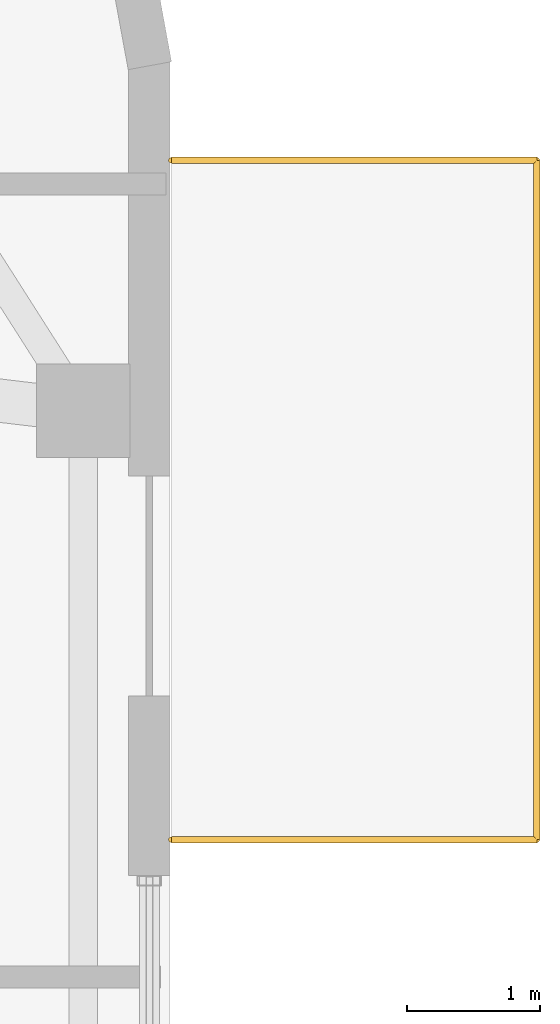
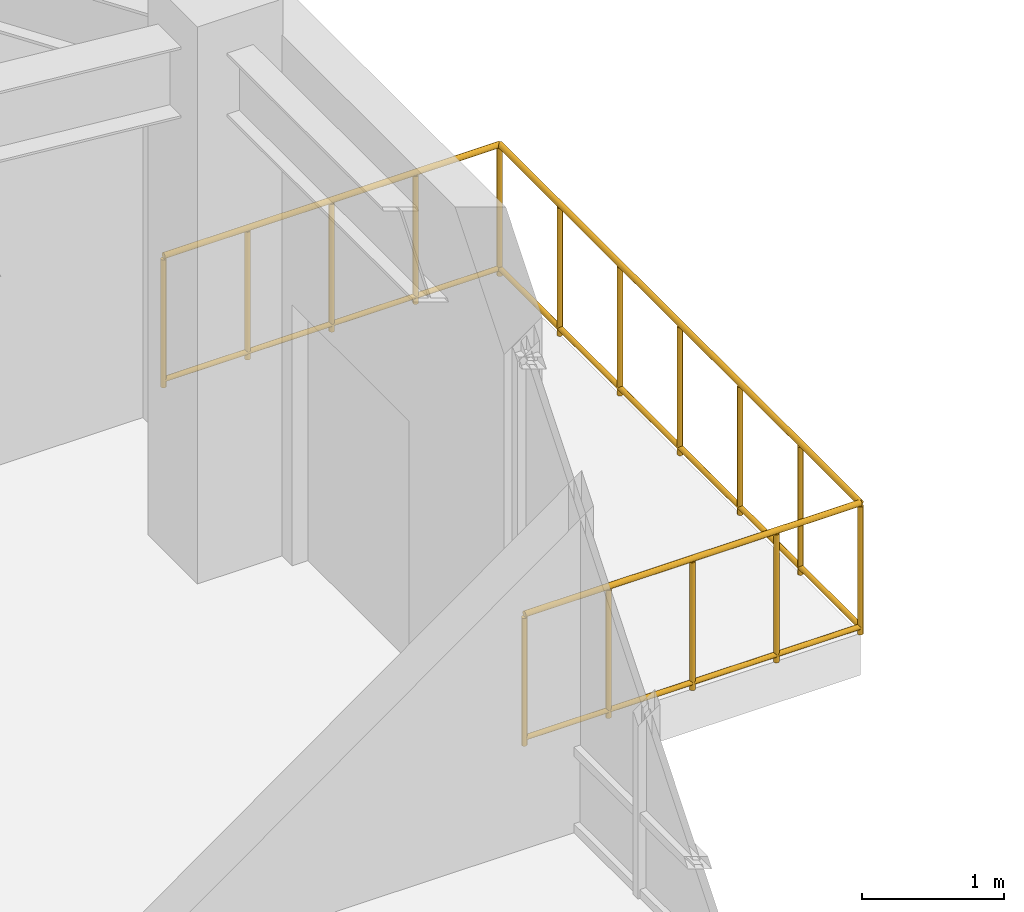
# One storey, part 19 of 19: 1 railing.
"""IFC4 building model written with IfcOpenShell, lengths in metres."""

from ifc_helpers import new_model, si_unit, direction, frame, origin, origin_2d, place, context, subcontext, project, spatial, circle, extrude, material, type_object, element, save


model = new_model("IFC4")

# Units and contexts
model_context = context("Model", 3, precision=1e-05, world=origin(), true_north=direction((0.0, 1.0)))
body_context = subcontext(model_context, "Body", "Model", "MODEL_VIEW")
ifc_project = project(units=[si_unit("LENGTHUNIT", "METRE"), si_unit("AREAUNIT", "SQUARE_METRE"), si_unit("VOLUMEUNIT", "CUBIC_METRE"), si_unit("PLANEANGLEUNIT", "RADIAN"), si_unit("MASSUNIT", "GRAM", prefix="KILO"), si_unit("THERMODYNAMICTEMPERATUREUNIT", "KELVIN"), si_unit("POWERUNIT", "WATT")], contexts=[model_context])

# Site, building, storey
site_placement = place(None, origin())
site = spatial("IfcSite", under=ifc_project, at=site_placement, CompositionType="ELEMENT")
building_placement = place(site_placement, origin())
building = spatial("IfcBuilding", under=site, at=building_placement, Name="Skarre Station Tower", CompositionType="ELEMENT")
storey_placement = place(building_placement, frame((0.0, 0.0, 275.10009765625)))
storey = spatial("IfcBuildingStorey", under=building, at=storey_placement, Name="L75", CompositionType="ELEMENT", Elevation=275.10009765625)

# Railing
ifc_material = material(Name="Stainless Steel Grade 316L & Laminated Safety Glass", Category="steel")
railing_type = type_object("IfcRailingType", Name="Laminated Glass & Stainless Terrace Guardrail 1150", PredefinedType="BALUSTRADE", material=ifc_material)
railing_placement = place(storey_placement, frame((51.222900390625, 29.89794921875, 0.0)))
element("IfcRailing", 1, at=railing_placement, inside=storey, type_object=railing_type, Name="L75 Open Observation Lookout Terrace Guardrail", PredefinedType="BALUSTRADE", context=body_context, shape_type="SweptSolid", body=[
    extrude(circle(Radius=0.02392578125, at=origin_2d()), frame((0.0, 0.0, 1.1259765625), z_axis=(1.0, 0.0, 0.0), x_axis=(0.0, 1.0, 0.0)), (0.0, 0.0, 1.0), 2.739990234375),
    extrude(circle(Radius=0.02099609375, at=origin_2d()), frame((0.0, 0.0, 0.06005859375), z_axis=(1.0, 0.0, 0.0), x_axis=(0.0, 1.0, 0.0)), (0.0, 0.0, 1.0), 2.739990234375),
    extrude(circle(Radius=0.02392578125, at=origin_2d()), frame((2.739990234375, 0.0, 1.1259765625), z_axis=(0.0, -1.0, 0.0), x_axis=(1.0, 0.0, 0.0)), (0.0, 0.0, 1.0), 5.093994140625),
    extrude(circle(Radius=0.02099609375, at=origin_2d()), frame((2.739990234375, 0.0, 0.06005859375), z_axis=(0.0, -1.0, 0.0), x_axis=(1.0, 0.0, 0.0)), (0.0, 0.0, 1.0), 5.093994140625),
    extrude(circle(Radius=0.02392578125, at=origin_2d()), frame((2.739990234375, -5.093994140625, 1.1259765625), z_axis=(-1.0, 0.0, 0.0), x_axis=(0.0, -1.0, 0.0)), (0.0, 0.0, 1.0), 2.739990234375),
    extrude(circle(Radius=0.02099609375, at=origin_2d()), frame((2.739990234375, -5.093994140625, 0.06005859375), z_axis=(-1.0, 0.0, 0.0), x_axis=(0.0, -1.0, 0.0)), (0.0, 0.0, 1.0), 2.739990234375),
    extrude(circle(Radius=0.02099609375, at=origin_2d()), origin(), (0.0, 0.0, 1.0), 1.101806640625),
    extrude(circle(Radius=0.02099609375, at=origin_2d()), frame((0.68505859375, 0.0, 0.0)), (0.0, 0.0, 1.0), 1.101806640625),
    extrude(circle(Radius=0.02099609375, at=origin_2d()), frame((1.3701171875, 0.0, 0.0)), (0.0, 0.0, 1.0), 1.101806640625),
    extrude(circle(Radius=0.02099609375, at=origin_2d()), frame((2.054931640625, 0.0, 0.0)), (0.0, 0.0, 1.0), 1.101806640625),
    extrude(circle(Radius=0.02099609375, at=origin_2d()), frame((2.739990234375, 0.0, 0.0)), (0.0, 0.0, 1.0), 1.101806640625),
    extrude(circle(Radius=0.02099609375, at=origin_2d()), frame((2.739990234375, -0.84912109375, 0.0)), (0.0, 0.0, 1.0), 1.101806640625),
    extrude(circle(Radius=0.02099609375, at=origin_2d()), frame((2.739990234375, -1.697998046875, 0.0)), (0.0, 0.0, 1.0), 1.101806640625),
    extrude(circle(Radius=0.02099609375, at=origin_2d()), frame((2.739990234375, -2.546875, 0.0)), (0.0, 0.0, 1.0), 1.101806640625),
    extrude(circle(Radius=0.02099609375, at=origin_2d()), frame((2.739990234375, -3.39599609375, 0.0)), (0.0, 0.0, 1.0), 1.101806640625),
    extrude(circle(Radius=0.02099609375, at=origin_2d()), frame((2.739990234375, -4.2451171875, 0.0)), (0.0, 0.0, 1.0), 1.101806640625),
    extrude(circle(Radius=0.02099609375, at=origin_2d()), frame((2.739990234375, -5.093994140625, 0.0)), (0.0, 0.0, 1.0), 1.101806640625),
    extrude(circle(Radius=0.02099609375, at=origin_2d()), frame((2.054931640625, -5.093994140625, 0.0)), (0.0, 0.0, 1.0), 1.101806640625),
    extrude(circle(Radius=0.02099609375, at=origin_2d()), frame((1.3701171875, -5.093994140625, 0.0)), (0.0, 0.0, 1.0), 1.101806640625),
    extrude(circle(Radius=0.02099609375, at=origin_2d()), frame((0.68505859375, -5.093994140625, 0.0)), (0.0, 0.0, 1.0), 1.101806640625),
    extrude(circle(Radius=0.02099609375, at=origin_2d()), frame((0.0, -5.093994140625, 0.0)), (0.0, 0.0, 1.0), 1.101806640625),
])

save(model, "model.ifc")
